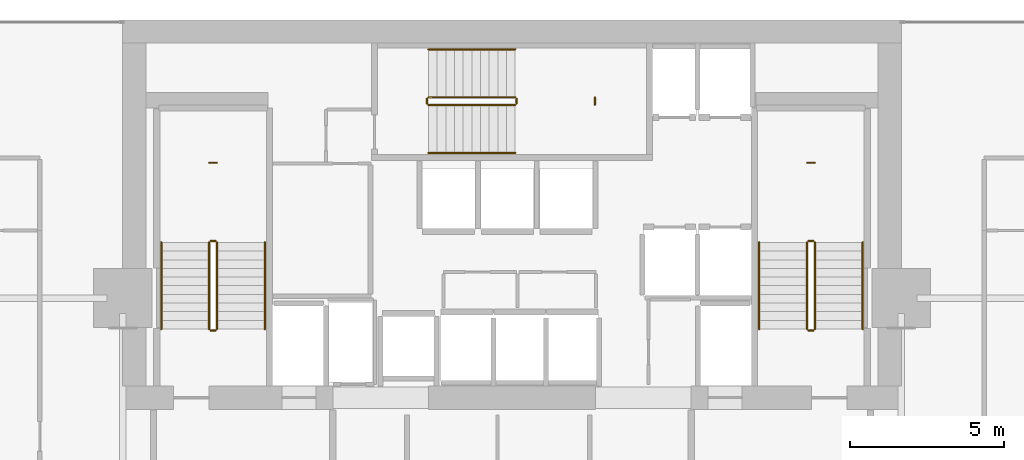
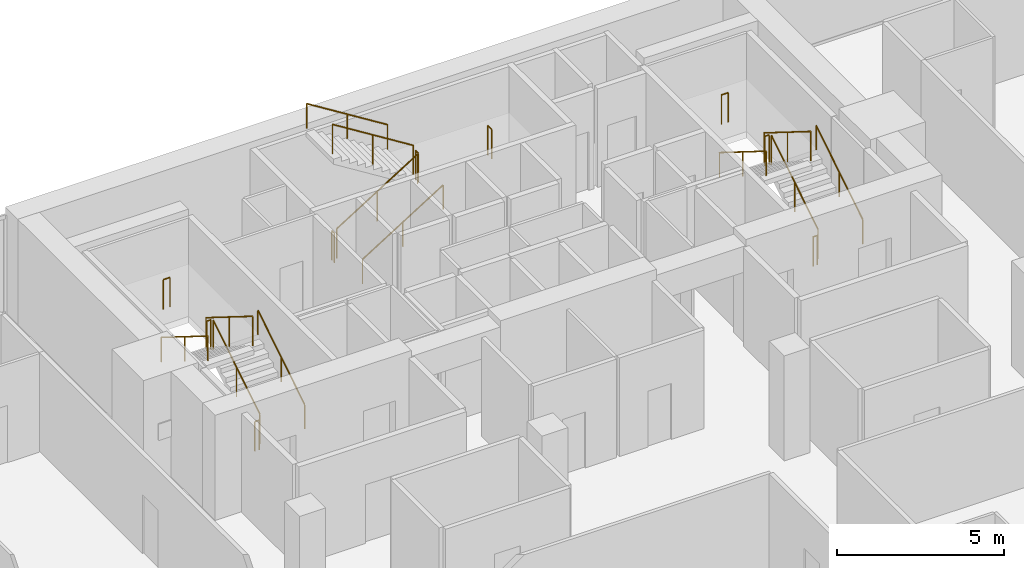
# One storey, part 33 of 33: 21 railings.
"""IFC4 building model written with IfcOpenShell, lengths in metres."""

from ifc_helpers import new_model, si_unit, direction, frame, origin, origin_2d, place, context, subcontext, project, spatial, circle, extrude, material, type_object, element, save


model = new_model("IFC4")

# Units and contexts
model_context = context("Model", 3, precision=1e-05, world=origin(), true_north=direction((0.0, 1.0)))
body_context = subcontext(model_context, "Body", "Model", "MODEL_VIEW")
ifc_project = project(units=[si_unit("LENGTHUNIT", "METRE"), si_unit("AREAUNIT", "SQUARE_METRE"), si_unit("VOLUMEUNIT", "CUBIC_METRE"), si_unit("PLANEANGLEUNIT", "RADIAN"), si_unit("MASSUNIT", "GRAM", prefix="KILO")], contexts=[model_context])

# Site, building, storey
site_placement = place(None, origin())
site = spatial("IfcSite", under=ifc_project, at=site_placement, CompositionType="ELEMENT")
building_placement = place(site_placement, origin())
building = spatial("IfcBuilding", under=site, at=building_placement, Name="Maruvema Waterfront Hotel and Observation Tower", CompositionType="ELEMENT")
storey_placement = place(building_placement, frame((0.0, 0.0, 204.39990234375)))
storey = spatial("IfcBuildingStorey", under=building, at=storey_placement, Name="L50", CompositionType="ELEMENT", Elevation=204.39990234375)

# Railings
ifc_material_1 = material(Name="Brushed stainless steel Grade 316", Category="steel")
railing_type_1 = type_object("IfcRailingType", Name="Ramp Continuous Wall Handrail 920 mm", PredefinedType="HANDRAIL", material=ifc_material_1)
railing_1_placement = place(storey_placement, frame((29.800048828125, 44.0, 0.175048828125)))
element("IfcRailing", 1, at=railing_1_placement, inside=storey, type_object=railing_type_1, Name="L50 ST-01 stair handrail 1", PredefinedType="HANDRAIL", context=body_context, shape_type="SweptSolid", body=[
    extrude(circle(Radius=0.02392578125, at=origin_2d()), frame((0.0, 0.0, 0.89599609375), z_axis=(0.0, 0.848002457836, 0.529992293815), x_axis=(-1.0, 0.0, 0.0)), (0.0, 0.0, 1.0), 3.302001953125),
    extrude(circle(Radius=0.02099609375, at=origin_2d()), origin(), (0.0, 0.0, 1.0), 0.871826171875),
    extrude(circle(Radius=0.02099609375, at=origin_2d()), frame((0.0, 1.39990234375, 0.875)), (0.0, 0.0, 1.0), 0.871826171875),
    extrude(circle(Radius=0.02099609375, at=origin_2d()), frame((0.0, 2.800048828125, 1.75)), (0.0, 0.0, 1.0), 0.871826171875),
])
railing_2_placement = place(storey_placement, frame((26.449951171875, 46.800048828125, 2.10009765625)))
element("IfcRailing", 2, at=railing_2_placement, inside=storey, type_object=railing_type_1, Name="L50 ST-01 stair handrail 2", PredefinedType="HANDRAIL", context=body_context, shape_type="SweptSolid", body=[
    extrude(circle(Radius=0.02392578125, at=origin_2d()), frame((0.0, 0.0, 0.89599609375), z_axis=(0.0, -0.848002457836, 0.529992293815), x_axis=(1.0, 0.0, 0.0)), (0.0, 0.0, 1.0), 3.302001953125),
    extrude(circle(Radius=0.02099609375, at=origin_2d()), origin(), (0.0, 0.0, 1.0), 0.871826171875),
    extrude(circle(Radius=0.02099609375, at=origin_2d()), frame((0.0, -1.39990234375, 0.875)), (0.0, 0.0, 1.0), 0.871826171875),
    extrude(circle(Radius=0.02099609375, at=origin_2d()), frame((0.0, -2.800048828125, 1.75)), (0.0, 0.0, 1.0), 0.871826171875),
])
railing_3_placement = place(storey_placement, frame((35.10009765625, 49.699951171875, 0.175048828125)))
element("IfcRailing", 3, at=railing_3_placement, inside=storey, type_object=railing_type_1, Name="L50 ST-02 stair handrail 1", PredefinedType="HANDRAIL", context=body_context, shape_type="SweptSolid", body=[
    extrude(circle(Radius=0.02392578125, at=origin_2d()), frame((0.0, 0.0, 0.89599609375), z_axis=(0.847981687118, 0.0, 0.530025526095), x_axis=(0.0, 1.0, 0.0)), (0.0, 0.0, 1.0), 3.3017578125),
    extrude(circle(Radius=0.02099609375, at=origin_2d()), origin(), (0.0, 0.0, 1.0), 0.871826171875),
    extrude(circle(Radius=0.02099609375, at=origin_2d()), frame((1.39990234375, 0.0, 0.875)), (0.0, 0.0, 1.0), 0.871826171875),
    extrude(circle(Radius=0.02099609375, at=origin_2d()), frame((2.7998046875, 0.0, 1.75)), (0.0, 0.0, 1.0), 0.871826171875),
])
railing_4_placement = place(storey_placement, frame((37.89990234375, 53.050048828125, 2.10009765625)))
element("IfcRailing", 4, at=railing_4_placement, inside=storey, type_object=railing_type_1, Name="L50 ST-02 stair handrail 2", PredefinedType="HANDRAIL", context=body_context, shape_type="SweptSolid", body=[
    extrude(circle(Radius=0.02392578125, at=origin_2d()), frame((0.0, 0.0, 0.89599609375), z_axis=(-0.847981687118, 0.0, 0.530025526095), x_axis=(0.0, -1.0, 0.0)), (0.0, 0.0, 1.0), 3.3017578125),
    extrude(circle(Radius=0.02099609375, at=origin_2d()), origin(), (0.0, 0.0, 1.0), 0.871826171875),
    extrude(circle(Radius=0.02099609375, at=origin_2d()), frame((-1.39990234375, 0.0, 0.875)), (0.0, 0.0, 1.0), 0.871826171875),
    extrude(circle(Radius=0.02099609375, at=origin_2d()), frame((-2.7998046875, 0.0, 1.75)), (0.0, 0.0, 1.0), 0.871826171875),
])
railing_5_placement = place(storey_placement, frame((49.14990234375, 44.0, 0.175048828125)))
element("IfcRailing", 5, at=railing_5_placement, inside=storey, type_object=railing_type_1, Name="L50 ST-03 stair handrail 1", PredefinedType="HANDRAIL", context=body_context, shape_type="SweptSolid", body=[
    extrude(circle(Radius=0.02392578125, at=origin_2d()), frame((0.0, 0.0, 0.89599609375), z_axis=(0.0, 0.848002457836, 0.529992293815), x_axis=(-1.0, 0.0, 0.0)), (0.0, 0.0, 1.0), 3.302001953125),
    extrude(circle(Radius=0.02099609375, at=origin_2d()), origin(), (0.0, 0.0, 1.0), 0.871826171875),
    extrude(circle(Radius=0.02099609375, at=origin_2d()), frame((0.0, 1.39990234375, 0.875)), (0.0, 0.0, 1.0), 0.871826171875),
    extrude(circle(Radius=0.02099609375, at=origin_2d()), frame((0.0, 2.800048828125, 1.75)), (0.0, 0.0, 1.0), 0.871826171875),
])
railing_6_placement = place(storey_placement, frame((45.800048828125, 46.800048828125, 2.10009765625)))
element("IfcRailing", 6, at=railing_6_placement, inside=storey, type_object=railing_type_1, Name="L50 ST-03 stair handrail 2", PredefinedType="HANDRAIL", context=body_context, shape_type="SweptSolid", body=[
    extrude(circle(Radius=0.02392578125, at=origin_2d()), frame((0.0, 0.0, 0.89599609375), z_axis=(0.0, -0.848002457836, 0.529992293815), x_axis=(1.0, 0.0, 0.0)), (0.0, 0.0, 1.0), 3.302001953125),
    extrude(circle(Radius=0.02099609375, at=origin_2d()), origin(), (0.0, 0.0, 1.0), 0.871826171875),
    extrude(circle(Radius=0.02099609375, at=origin_2d()), frame((0.0, -1.39990234375, 0.875)), (0.0, 0.0, 1.0), 0.871826171875),
    extrude(circle(Radius=0.02099609375, at=origin_2d()), frame((0.0, -2.800048828125, 1.75)), (0.0, 0.0, 1.0), 0.871826171875),
])
ifc_material_2 = material(Name="Brushed stainless steel Grade 316", Category="steel")
railing_type_2 = type_object("IfcRailingType", Name="Ramp and Terrace Guard Balustrade 1100 mm", PredefinedType="BALUSTRADE", material=ifc_material_2)
railing_7_placement = place(storey_placement, frame((28.25, 44.0, 0.175048828125)))
element("IfcRailing", 7, at=railing_7_placement, inside=storey, type_object=railing_type_2, Name="L50 ST-01 stair guard 1", PredefinedType="BALUSTRADE", context=body_context, shape_type="SweptSolid", body=[
    extrude(circle(Radius=0.02392578125, at=origin_2d()), frame((0.0, 0.0, 1.076171875), z_axis=(0.0, 0.848002457836, 0.529992293815), x_axis=(-1.0, 0.0, 0.0)), (0.0, 0.0, 1.0), 3.302001953125),
    extrude(circle(Radius=0.02099609375, at=origin_2d()), origin(), (0.0, 0.0, 1.0), 1.052001953125),
    extrude(circle(Radius=0.02099609375, at=origin_2d()), frame((0.0, 1.39990234375, 0.875)), (0.0, 0.0, 1.0), 1.052001953125),
    extrude(circle(Radius=0.02099609375, at=origin_2d()), frame((0.0, 2.800048828125, 1.75)), (0.0, 0.0, 1.0), 1.052001953125),
])
railing_8_placement = place(storey_placement, frame((28.199951171875, 46.85009765625, 1.925048828125)))
element("IfcRailing", 8, at=railing_8_placement, inside=storey, type_object=railing_type_2, Name="L50 ST-01 stair guard 2", PredefinedType="BALUSTRADE", context=body_context, shape_type="SweptSolid", body=[
    extrude(circle(Radius=0.02392578125, at=origin_2d()), frame((0.0, 0.0, 1.076171875), z_axis=(-1.0, 0.0, 0.0), x_axis=(0.0, -1.0, 0.0)), (0.0, 0.0, 1.0), 0.14990234375),
    extrude(circle(Radius=0.02099609375, at=origin_2d()), origin(), (0.0, 0.0, 1.0), 1.052001953125),
    extrude(circle(Radius=0.02099609375, at=origin_2d()), frame((-0.14990234375, 0.0, 0.0)), (0.0, 0.0, 1.0), 1.052001953125),
])
railing_9_placement = place(storey_placement, frame((28.0, 46.800048828125, 2.10009765625)))
element("IfcRailing", 9, at=railing_9_placement, inside=storey, type_object=railing_type_2, Name="L50 ST-01 stair guard 3", PredefinedType="BALUSTRADE", context=body_context, shape_type="SweptSolid", body=[
    extrude(circle(Radius=0.02392578125, at=origin_2d()), frame((0.0, 0.0, 1.076171875), z_axis=(0.0, -0.848002457836, 0.529992293815), x_axis=(1.0, 0.0, 0.0)), (0.0, 0.0, 1.0), 3.302001953125),
    extrude(circle(Radius=0.02099609375, at=origin_2d()), origin(), (0.0, 0.0, 1.0), 1.052001953125),
    extrude(circle(Radius=0.02099609375, at=origin_2d()), frame((0.0, -1.39990234375, 0.875)), (0.0, 0.0, 1.0), 1.052001953125),
    extrude(circle(Radius=0.02099609375, at=origin_2d()), frame((0.0, -2.800048828125, 1.75)), (0.0, 0.0, 1.0), 1.052001953125),
])
railing_10_placement = place(storey_placement, frame((28.199951171875, 43.949951171875, 0.0)))
element("IfcRailing", 10, at=railing_10_placement, inside=storey, type_object=railing_type_2, Name="L50 ST-01 stair guard 4", PredefinedType="BALUSTRADE", context=body_context, shape_type="SweptSolid", body=[
    extrude(circle(Radius=0.02392578125, at=origin_2d()), frame((0.0, 0.0, 1.076171875), z_axis=(-1.0, 0.0, 0.0), x_axis=(0.0, -1.0, 0.0)), (0.0, 0.0, 1.0), 0.14990234375),
    extrude(circle(Radius=0.02099609375, at=origin_2d()), origin(), (0.0, 0.0, 1.0), 1.052001953125),
    extrude(circle(Radius=0.02099609375, at=origin_2d()), frame((-0.14990234375, 0.0, 0.0)), (0.0, 0.0, 1.0), 1.052001953125),
])
railing_11_placement = place(storey_placement, frame((28.239990234375, 49.3798828125, 1.925048828125)))
element("IfcRailing", 11, at=railing_11_placement, inside=storey, type_object=railing_type_2, Name="L50 ST-01 Half-Landing Slot Guard", PredefinedType="BALUSTRADE", context=body_context, shape_type="SweptSolid", body=[
    extrude(circle(Radius=0.02392578125, at=origin_2d()), frame((0.0, 0.0, 1.076171875), z_axis=(-1.0, 0.0, 0.0), x_axis=(0.0, -1.0, 0.0)), (0.0, 0.0, 1.0), 0.22998046875),
    extrude(circle(Radius=0.02099609375, at=origin_2d()), origin(), (0.0, 0.0, 1.0), 1.052001953125),
    extrude(circle(Radius=0.02099609375, at=origin_2d()), frame((-0.22998046875, 0.0, 0.0)), (0.0, 0.0, 1.0), 1.052001953125),
])
railing_12_placement = place(storey_placement, frame((35.10009765625, 51.25, 0.175048828125)))
element("IfcRailing", 12, at=railing_12_placement, inside=storey, type_object=railing_type_2, Name="L50 ST-02 stair guard 1", PredefinedType="BALUSTRADE", context=body_context, shape_type="SweptSolid", body=[
    extrude(circle(Radius=0.02392578125, at=origin_2d()), frame((0.0, 0.0, 1.076171875), z_axis=(0.847981687118, 0.0, 0.530025526095), x_axis=(0.0, 1.0, 0.0)), (0.0, 0.0, 1.0), 3.3017578125),
    extrude(circle(Radius=0.02099609375, at=origin_2d()), origin(), (0.0, 0.0, 1.0), 1.052001953125),
    extrude(circle(Radius=0.02099609375, at=origin_2d()), frame((1.39990234375, 0.0, 0.875)), (0.0, 0.0, 1.0), 1.052001953125),
    extrude(circle(Radius=0.02099609375, at=origin_2d()), frame((2.7998046875, 0.0, 1.75)), (0.0, 0.0, 1.0), 1.052001953125),
])
railing_13_placement = place(storey_placement, frame((37.949951171875, 51.300048828125, 1.925048828125)))
element("IfcRailing", 13, at=railing_13_placement, inside=storey, type_object=railing_type_2, Name="L50 ST-02 stair guard 2", PredefinedType="BALUSTRADE", context=body_context, shape_type="SweptSolid", body=[
    extrude(circle(Radius=0.02392578125, at=origin_2d()), frame((0.0, 0.0, 1.076171875), z_axis=(0.0, 1.0, 0.0), x_axis=(-1.0, 0.0, 0.0)), (0.0, 0.0, 1.0), 0.14990234375),
    extrude(circle(Radius=0.02099609375, at=origin_2d()), origin(), (0.0, 0.0, 1.0), 1.052001953125),
    extrude(circle(Radius=0.02099609375, at=origin_2d()), frame((0.0, 0.14990234375, 0.0)), (0.0, 0.0, 1.0), 1.052001953125),
])
railing_14_placement = place(storey_placement, frame((37.89990234375, 51.5, 2.10009765625)))
element("IfcRailing", 14, at=railing_14_placement, inside=storey, type_object=railing_type_2, Name="L50 ST-02 stair guard 3", PredefinedType="BALUSTRADE", context=body_context, shape_type="SweptSolid", body=[
    extrude(circle(Radius=0.02392578125, at=origin_2d()), frame((0.0, 0.0, 1.076171875), z_axis=(-0.847981687118, 0.0, 0.530025526095), x_axis=(0.0, -1.0, 0.0)), (0.0, 0.0, 1.0), 3.3017578125),
    extrude(circle(Radius=0.02099609375, at=origin_2d()), origin(), (0.0, 0.0, 1.0), 1.052001953125),
    extrude(circle(Radius=0.02099609375, at=origin_2d()), frame((-1.39990234375, 0.0, 0.875)), (0.0, 0.0, 1.0), 1.052001953125),
    extrude(circle(Radius=0.02099609375, at=origin_2d()), frame((-2.7998046875, 0.0, 1.75)), (0.0, 0.0, 1.0), 1.052001953125),
])
railing_15_placement = place(storey_placement, frame((35.050048828125, 51.300048828125, 0.0)))
element("IfcRailing", 15, at=railing_15_placement, inside=storey, type_object=railing_type_2, Name="L50 ST-02 stair guard 4", PredefinedType="BALUSTRADE", context=body_context, shape_type="SweptSolid", body=[
    extrude(circle(Radius=0.02392578125, at=origin_2d()), frame((0.0, 0.0, 1.076171875), z_axis=(0.0, 1.0, 0.0), x_axis=(-1.0, 0.0, 0.0)), (0.0, 0.0, 1.0), 0.14990234375),
    extrude(circle(Radius=0.02099609375, at=origin_2d()), origin(), (0.0, 0.0, 1.0), 1.052001953125),
    extrude(circle(Radius=0.02099609375, at=origin_2d()), frame((0.0, 0.14990234375, 0.0)), (0.0, 0.0, 1.0), 1.052001953125),
])
railing_16_placement = place(storey_placement, frame((40.47998046875, 51.260009765625, 1.925048828125)))
element("IfcRailing", 16, at=railing_16_placement, inside=storey, type_object=railing_type_2, Name="L50 ST-02 Half-Landing Slot Guard", PredefinedType="BALUSTRADE", context=body_context, shape_type="SweptSolid", body=[
    extrude(circle(Radius=0.02392578125, at=origin_2d()), frame((0.0, 0.0, 1.076171875), z_axis=(0.0, 1.0, 0.0), x_axis=(-1.0, 0.0, 0.0)), (0.0, 0.0, 1.0), 0.22998046875),
    extrude(circle(Radius=0.02099609375, at=origin_2d()), origin(), (0.0, 0.0, 1.0), 1.052001953125),
    extrude(circle(Radius=0.02099609375, at=origin_2d()), frame((0.0, 0.22998046875, 0.0)), (0.0, 0.0, 1.0), 1.052001953125),
])
railing_17_placement = place(storey_placement, frame((47.60009765625, 44.0, 0.175048828125)))
element("IfcRailing", 17, at=railing_17_placement, inside=storey, type_object=railing_type_2, Name="L50 ST-03 stair guard 1", PredefinedType="BALUSTRADE", context=body_context, shape_type="SweptSolid", body=[
    extrude(circle(Radius=0.02392578125, at=origin_2d()), frame((0.0, 0.0, 1.076171875), z_axis=(0.0, 0.848002457836, 0.529992293815), x_axis=(-1.0, 0.0, 0.0)), (0.0, 0.0, 1.0), 3.302001953125),
    extrude(circle(Radius=0.02099609375, at=origin_2d()), origin(), (0.0, 0.0, 1.0), 1.052001953125),
    extrude(circle(Radius=0.02099609375, at=origin_2d()), frame((0.0, 1.39990234375, 0.875)), (0.0, 0.0, 1.0), 1.052001953125),
    extrude(circle(Radius=0.02099609375, at=origin_2d()), frame((0.0, 2.800048828125, 1.75)), (0.0, 0.0, 1.0), 1.052001953125),
])
railing_18_placement = place(storey_placement, frame((47.550048828125, 46.85009765625, 1.925048828125)))
element("IfcRailing", 18, at=railing_18_placement, inside=storey, type_object=railing_type_2, Name="L50 ST-03 stair guard 2", PredefinedType="BALUSTRADE", context=body_context, shape_type="SweptSolid", body=[
    extrude(circle(Radius=0.02392578125, at=origin_2d()), frame((0.0, 0.0, 1.076171875), z_axis=(-1.0, 0.0, 0.0), x_axis=(0.0, -1.0, 0.0)), (0.0, 0.0, 1.0), 0.150146484375),
    extrude(circle(Radius=0.02099609375, at=origin_2d()), origin(), (0.0, 0.0, 1.0), 1.052001953125),
    extrude(circle(Radius=0.02099609375, at=origin_2d()), frame((-0.150146484375, 0.0, 0.0)), (0.0, 0.0, 1.0), 1.052001953125),
])
railing_19_placement = place(storey_placement, frame((47.35009765625, 46.800048828125, 2.10009765625)))
element("IfcRailing", 19, at=railing_19_placement, inside=storey, type_object=railing_type_2, Name="L50 ST-03 stair guard 3", PredefinedType="BALUSTRADE", context=body_context, shape_type="SweptSolid", body=[
    extrude(circle(Radius=0.02392578125, at=origin_2d()), frame((0.0, 0.0, 1.076171875), z_axis=(0.0, -0.848002457836, 0.529992293815), x_axis=(1.0, 0.0, 0.0)), (0.0, 0.0, 1.0), 3.302001953125),
    extrude(circle(Radius=0.02099609375, at=origin_2d()), origin(), (0.0, 0.0, 1.0), 1.052001953125),
    extrude(circle(Radius=0.02099609375, at=origin_2d()), frame((0.0, -1.39990234375, 0.875)), (0.0, 0.0, 1.0), 1.052001953125),
    extrude(circle(Radius=0.02099609375, at=origin_2d()), frame((0.0, -2.800048828125, 1.75)), (0.0, 0.0, 1.0), 1.052001953125),
])
railing_20_placement = place(storey_placement, frame((47.550048828125, 43.949951171875, 0.0)))
element("IfcRailing", 20, at=railing_20_placement, inside=storey, type_object=railing_type_2, Name="L50 ST-03 stair guard 4", PredefinedType="BALUSTRADE", context=body_context, shape_type="SweptSolid", body=[
    extrude(circle(Radius=0.02392578125, at=origin_2d()), frame((0.0, 0.0, 1.076171875), z_axis=(-1.0, 0.0, 0.0), x_axis=(0.0, -1.0, 0.0)), (0.0, 0.0, 1.0), 0.150146484375),
    extrude(circle(Radius=0.02099609375, at=origin_2d()), origin(), (0.0, 0.0, 1.0), 1.052001953125),
    extrude(circle(Radius=0.02099609375, at=origin_2d()), frame((-0.150146484375, 0.0, 0.0)), (0.0, 0.0, 1.0), 1.052001953125),
])
railing_21_placement = place(storey_placement, frame((47.590087890625, 49.3798828125, 1.925048828125)))
element("IfcRailing", 21, at=railing_21_placement, inside=storey, type_object=railing_type_2, Name="L50 ST-03 Half-Landing Slot Guard", PredefinedType="BALUSTRADE", context=body_context, shape_type="SweptSolid", body=[
    extrude(circle(Radius=0.02392578125, at=origin_2d()), frame((0.0, 0.0, 1.076171875), z_axis=(-1.0, 0.0, 0.0), x_axis=(0.0, -1.0, 0.0)), (0.0, 0.0, 1.0), 0.22998046875),
    extrude(circle(Radius=0.02099609375, at=origin_2d()), origin(), (0.0, 0.0, 1.0), 1.052001953125),
    extrude(circle(Radius=0.02099609375, at=origin_2d()), frame((-0.22998046875, 0.0, 0.0)), (0.0, 0.0, 1.0), 1.052001953125),
])

save(model, "model.ifc")
